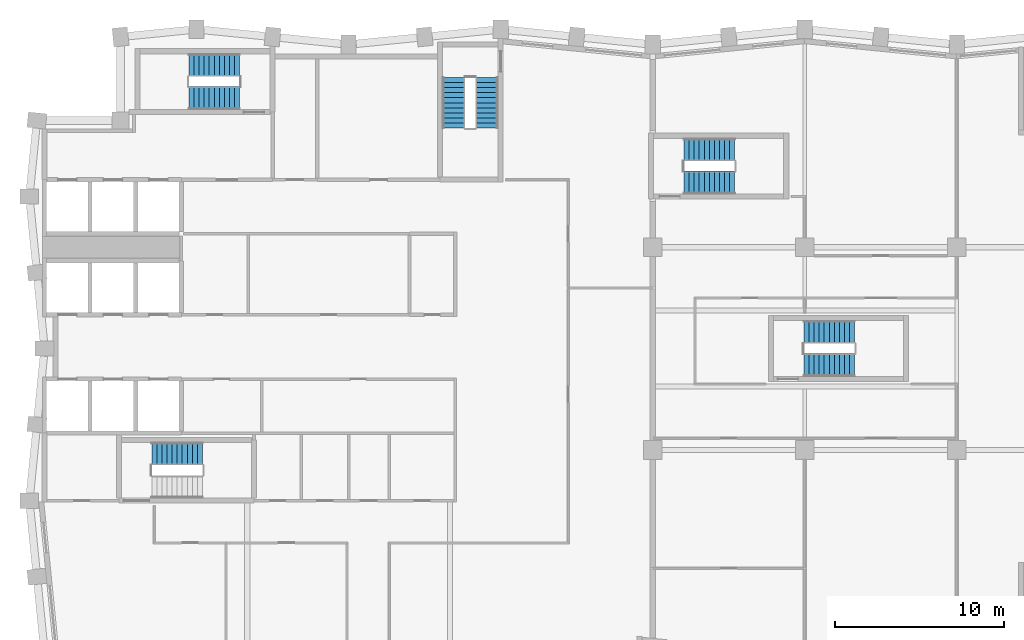
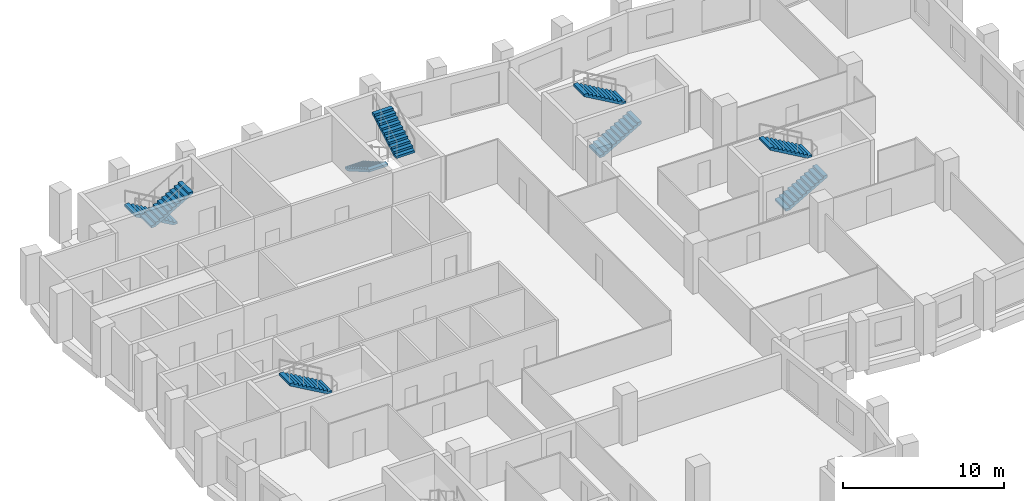
# One storey, part 8 of 10: 9 stair flights, 5 elements without a shape of their own.
"""IFC4 building model written with IfcOpenShell, lengths in metres."""

from ifc_helpers import new_model, si_unit, direction, frame, origin, place, context, subcontext, project, spatial, polyline, outline, extrude, material, type_object, element, aggregate, save


model = new_model("IFC4")

# Units and contexts
model_context = context("Model", 3, precision=1e-05, world=origin(), true_north=direction((0.0, 1.0)))
body_context = subcontext(model_context, "Body", "Model", "MODEL_VIEW")
ifc_project = project(units=[si_unit("LENGTHUNIT", "METRE"), si_unit("AREAUNIT", "SQUARE_METRE"), si_unit("VOLUMEUNIT", "CUBIC_METRE"), si_unit("PLANEANGLEUNIT", "RADIAN"), si_unit("MASSUNIT", "GRAM", prefix="KILO")], contexts=[model_context])

# Site, building, storey
site_placement = place(None, origin())
site = spatial("IfcSite", under=ifc_project, at=site_placement, CompositionType="ELEMENT")
building_placement = place(site_placement, origin())
building = spatial("IfcBuilding", under=site, at=building_placement, Name="Brondeck Convention Tower", CompositionType="ELEMENT")
storey_placement = place(building_placement, frame((0.0, 0.0, 185.199951171875)))
storey = spatial("IfcBuildingStorey", under=building, at=storey_placement, Name="L45", CompositionType="ELEMENT", Elevation=185.199951171875)

# Stair, stair flight
ifc_material = material(Name="Precast concrete C50/60", Category="concrete")
stair_type = type_object("IfcStairType", Name="Core stair 22 risers 172.73 mm riser 300 mm going 1350 wide", PredefinedType="HALF_TURN_STAIR", material=ifc_material)
stair_1_placement = place(storey_placement, origin())
stair_1 = element("IfcStair", 1, at=stair_1_placement, inside=storey, type_object=stair_type, Name="ST-1 L45 stair", PredefinedType="HALF_TURN_STAIR")
stair_flight_type = type_object("IfcStairFlightType", Name="Core stair flight 22 risers 172.73 mm riser 300 mm going 1350 wide", PredefinedType="STRAIGHT", material=ifc_material)
stair_flight_1_placement = place(storey_placement, frame((9.35009765625, 38.77490234375, 1.900146484375), z_axis=(0.0, 0.0, 1.0), x_axis=(-1.0, 0.0, 0.0)))
stair_flight_1 = element("IfcStairFlight", 2, at=stair_flight_1_placement, type_object=stair_flight_type, Name="ST-1 flight 2", NumberOfRisers=11, NumberOfTreads=10, PredefinedType="STRAIGHT", RiserHeight=0.172727273, TreadLength=0.3, context=body_context, shape_type="SweptSolid", body=[
    extrude(outline(polyline([(0.0, 0.0), (0.0, 0.172607421875), (0.300048828125, 0.172607421875), (0.300048828125, 0.345458984375), (0.60009765625, 0.345458984375), (0.60009765625, 0.51806640625), (0.89990234375, 0.51806640625), (0.89990234375, 0.69091796875), (1.199951171875, 0.69091796875), (1.199951171875, 0.863525390625), (1.5, 0.863525390625), (1.5, 1.036376953125), (1.800048828125, 1.036376953125), (1.800048828125, 1.208984375), (2.10009765625, 1.208984375), (2.10009765625, 1.3818359375), (2.39990234375, 1.3818359375), (2.39990234375, 1.554443359375), (2.699951171875, 1.554443359375), (2.699951171875, 1.727294921875), (3.0, 1.727294921875), (3.0, 1.89990234375), (3.0, 1.55419921875), (0.300537109375, 0.0), (0.0, 0.0)])), frame((0.0, 0.675048828125, 0.0), z_axis=(0.0, -1.0, 0.0), x_axis=(1.0, 0.0, 0.0)), (0.0, 0.0, 1.0), 1.35009765625),
])
aggregate(stair_1, [stair_flight_1])

# Stair, stair flights
stair_2_placement = place(storey_placement, origin())
stair_2 = element("IfcStair", 3, at=stair_2_placement, inside=storey, type_object=stair_type, Name="ST-2 L45 stair", PredefinedType="HALF_TURN_STAIR")
stair_flight_2_placement = place(storey_placement, frame((24.22509765625, 61.050048828125, 0.0), z_axis=(0.0, 0.0, 1.0), x_axis=(0.0, -1.0, 0.0)))
stair_flight_2 = element("IfcStairFlight", 4, at=stair_flight_2_placement, type_object=stair_flight_type, Name="ST-2 flight 1", NumberOfRisers=11, NumberOfTreads=10, PredefinedType="STRAIGHT", RiserHeight=0.172727273, TreadLength=0.3, context=body_context, shape_type="SweptSolid", body=[
    extrude(outline(polyline([(0.0, 0.0), (0.0, 0.172607421875), (0.300048828125, 0.172607421875), (0.300048828125, 0.345458984375), (0.60009765625, 0.345458984375), (0.60009765625, 0.51806640625), (0.89990234375, 0.51806640625), (0.89990234375, 0.69091796875), (1.199951171875, 0.69091796875), (1.199951171875, 0.863525390625), (1.5, 0.863525390625), (1.5, 1.036376953125), (1.800048828125, 1.036376953125), (1.800048828125, 1.208984375), (2.10009765625, 1.208984375), (2.10009765625, 1.3818359375), (2.39990234375, 1.3818359375), (2.39990234375, 1.554443359375), (2.699951171875, 1.554443359375), (2.699951171875, 1.727294921875), (3.0, 1.727294921875), (3.0, 1.89990234375), (3.0, 1.55419921875), (0.300537109375, 0.0), (0.0, 0.0)])), frame((0.0, 0.675048828125, 0.0), z_axis=(0.0, -1.0, 0.0), x_axis=(1.0, 0.0, 0.0)), (0.0, 0.0, 1.0), 1.35009765625),
])
stair_flight_3_placement = place(storey_placement, frame((26.175048828125, 58.050048828125, 1.900146484375), z_axis=(0.0, 0.0, 1.0), x_axis=(0.0, 1.0, 0.0)))
stair_flight_3 = element("IfcStairFlight", 5, at=stair_flight_3_placement, type_object=stair_flight_type, Name="ST-2 flight 2", NumberOfRisers=11, NumberOfTreads=10, PredefinedType="STRAIGHT", RiserHeight=0.172727273, TreadLength=0.3, context=body_context, shape_type="SweptSolid", body=[
    extrude(outline(polyline([(0.0, 0.0), (0.0, 0.172607421875), (0.300048828125, 0.172607421875), (0.300048828125, 0.345458984375), (0.60009765625, 0.345458984375), (0.60009765625, 0.51806640625), (0.89990234375, 0.51806640625), (0.89990234375, 0.69091796875), (1.199951171875, 0.69091796875), (1.199951171875, 0.863525390625), (1.5, 0.863525390625), (1.5, 1.036376953125), (1.800048828125, 1.036376953125), (1.800048828125, 1.208984375), (2.10009765625, 1.208984375), (2.10009765625, 1.3818359375), (2.39990234375, 1.3818359375), (2.39990234375, 1.554443359375), (2.699951171875, 1.554443359375), (2.699951171875, 1.727294921875), (3.0, 1.727294921875), (3.0, 1.89990234375), (3.0, 1.55419921875), (0.300537109375, 0.0), (0.0, 0.0)])), frame((0.0, 0.675048828125, 0.0), z_axis=(0.0, -1.0, 0.0), x_axis=(1.0, 0.0, 0.0)), (0.0, 0.0, 1.0), 1.35009765625),
])
aggregate(stair_2, [stair_flight_2, stair_flight_3])

stair_3_placement = place(storey_placement, origin())
stair_3 = element("IfcStair", 6, at=stair_3_placement, inside=storey, type_object=stair_type, Name="ST-3 L45 stair", PredefinedType="HALF_TURN_STAIR")
stair_flight_4_placement = place(storey_placement, frame((11.550048828125, 61.77490234375, 0.0), z_axis=(0.0, 0.0, 1.0), x_axis=(-1.0, 0.0, 0.0)))
stair_flight_4 = element("IfcStairFlight", 7, at=stair_flight_4_placement, type_object=stair_flight_type, Name="ST-3 flight 1", NumberOfRisers=11, NumberOfTreads=10, PredefinedType="STRAIGHT", RiserHeight=0.172727273, TreadLength=0.3, context=body_context, shape_type="SweptSolid", body=[
    extrude(outline(polyline([(0.0, 0.0), (0.0, 0.172607421875), (0.300048828125, 0.172607421875), (0.300048828125, 0.345458984375), (0.60009765625, 0.345458984375), (0.60009765625, 0.51806640625), (0.89990234375, 0.51806640625), (0.89990234375, 0.69091796875), (1.199951171875, 0.69091796875), (1.199951171875, 0.863525390625), (1.5, 0.863525390625), (1.5, 1.036376953125), (1.800048828125, 1.036376953125), (1.800048828125, 1.208984375), (2.10009765625, 1.208984375), (2.10009765625, 1.3818359375), (2.39990234375, 1.3818359375), (2.39990234375, 1.554443359375), (2.699951171875, 1.554443359375), (2.699951171875, 1.727294921875), (3.0, 1.727294921875), (3.0, 1.89990234375), (3.0, 1.55419921875), (0.300537109375, 0.0), (0.0, 0.0)])), frame((0.0, 0.675048828125, 0.0), z_axis=(0.0, -1.0, 0.0), x_axis=(1.0, 0.0, 0.0)), (0.0, 0.0, 1.0), 1.35009765625),
])
stair_flight_5_placement = place(storey_placement, frame((8.550048828125, 59.824951171875, 1.900146484375), z_axis=(0.0, 0.0, 1.0), x_axis=(1.0, 0.0, 0.0)))
stair_flight_5 = element("IfcStairFlight", 8, at=stair_flight_5_placement, type_object=stair_flight_type, Name="ST-3 flight 2", NumberOfRisers=11, NumberOfTreads=10, PredefinedType="STRAIGHT", RiserHeight=0.172727273, TreadLength=0.3, context=body_context, shape_type="SweptSolid", body=[
    extrude(outline(polyline([(0.0, 0.0), (0.0, 0.172607421875), (0.300048828125, 0.172607421875), (0.300048828125, 0.345458984375), (0.60009765625, 0.345458984375), (0.60009765625, 0.51806640625), (0.89990234375, 0.51806640625), (0.89990234375, 0.69091796875), (1.199951171875, 0.69091796875), (1.199951171875, 0.863525390625), (1.5, 0.863525390625), (1.5, 1.036376953125), (1.800048828125, 1.036376953125), (1.800048828125, 1.208984375), (2.10009765625, 1.208984375), (2.10009765625, 1.3818359375), (2.39990234375, 1.3818359375), (2.39990234375, 1.554443359375), (2.699951171875, 1.554443359375), (2.699951171875, 1.727294921875), (3.0, 1.727294921875), (3.0, 1.89990234375), (3.0, 1.55419921875), (0.300537109375, 0.0), (0.0, 0.0)])), frame((0.0, 0.675048828125, 0.0), z_axis=(0.0, -1.0, 0.0), x_axis=(1.0, 0.0, 0.0)), (0.0, 0.0, 1.0), 1.35009765625),
])
aggregate(stair_3, [stair_flight_4, stair_flight_5])

stair_4_placement = place(storey_placement, origin())
stair_4 = element("IfcStair", 9, at=stair_4_placement, inside=storey, type_object=stair_type, Name="ST-AE L45 stair", PredefinedType="HALF_TURN_STAIR")
stair_flight_6_placement = place(storey_placement, frame((37.85009765625, 54.824951171875, 0.0), z_axis=(0.0, 0.0, 1.0), x_axis=(1.0, 0.0, 0.0)))
stair_flight_6 = element("IfcStairFlight", 10, at=stair_flight_6_placement, type_object=stair_flight_type, Name="ST-AE flight 1", NumberOfRisers=11, NumberOfTreads=10, PredefinedType="STRAIGHT", RiserHeight=0.172727273, TreadLength=0.3, context=body_context, shape_type="SweptSolid", body=[
    extrude(outline(polyline([(0.0, 0.0), (0.0, 0.172607421875), (0.300048828125, 0.172607421875), (0.300048828125, 0.345458984375), (0.60009765625, 0.345458984375), (0.60009765625, 0.51806640625), (0.89990234375, 0.51806640625), (0.89990234375, 0.69091796875), (1.199951171875, 0.69091796875), (1.199951171875, 0.863525390625), (1.5, 0.863525390625), (1.5, 1.036376953125), (1.800048828125, 1.036376953125), (1.800048828125, 1.208984375), (2.10009765625, 1.208984375), (2.10009765625, 1.3818359375), (2.39990234375, 1.3818359375), (2.39990234375, 1.554443359375), (2.699951171875, 1.554443359375), (2.699951171875, 1.727294921875), (3.0, 1.727294921875), (3.0, 1.89990234375), (3.0, 1.55419921875), (0.300537109375, 0.0), (0.0, 0.0)])), frame((0.0, 0.675048828125, 0.0), z_axis=(0.0, -1.0, 0.0), x_axis=(1.0, 0.0, 0.0)), (0.0, 0.0, 1.0), 1.35009765625),
])
stair_flight_7_placement = place(storey_placement, frame((40.85009765625, 56.77490234375, 1.900146484375), z_axis=(0.0, 0.0, 1.0), x_axis=(-1.0, 0.0, 0.0)))
stair_flight_7 = element("IfcStairFlight", 11, at=stair_flight_7_placement, type_object=stair_flight_type, Name="ST-AE flight 2", NumberOfRisers=11, NumberOfTreads=10, PredefinedType="STRAIGHT", RiserHeight=0.172727273, TreadLength=0.3, context=body_context, shape_type="SweptSolid", body=[
    extrude(outline(polyline([(0.0, 0.0), (0.0, 0.172607421875), (0.300048828125, 0.172607421875), (0.300048828125, 0.345458984375), (0.60009765625, 0.345458984375), (0.60009765625, 0.51806640625), (0.89990234375, 0.51806640625), (0.89990234375, 0.69091796875), (1.199951171875, 0.69091796875), (1.199951171875, 0.863525390625), (1.5, 0.863525390625), (1.5, 1.036376953125), (1.800048828125, 1.036376953125), (1.800048828125, 1.208984375), (2.10009765625, 1.208984375), (2.10009765625, 1.3818359375), (2.39990234375, 1.3818359375), (2.39990234375, 1.554443359375), (2.699951171875, 1.554443359375), (2.699951171875, 1.727294921875), (3.0, 1.727294921875), (3.0, 1.89990234375), (3.0, 1.55419921875), (0.300537109375, 0.0), (0.0, 0.0)])), frame((0.0, 0.675048828125, 0.0), z_axis=(0.0, -1.0, 0.0), x_axis=(1.0, 0.0, 0.0)), (0.0, 0.0, 1.0), 1.35009765625),
])
aggregate(stair_4, [stair_flight_6, stair_flight_7])

stair_5_placement = place(storey_placement, origin())
stair_5 = element("IfcStair", 12, at=stair_5_placement, inside=storey, type_object=stair_type, Name="ST-AF L45 stair", PredefinedType="HALF_TURN_STAIR")
stair_flight_8_placement = place(storey_placement, frame((44.949951171875, 44.02490234375, 0.0), z_axis=(0.0, 0.0, 1.0), x_axis=(1.0, 0.0, 0.0)))
stair_flight_8 = element("IfcStairFlight", 13, at=stair_flight_8_placement, type_object=stair_flight_type, Name="ST-AF flight 1", NumberOfRisers=11, NumberOfTreads=10, PredefinedType="STRAIGHT", RiserHeight=0.172727273, TreadLength=0.3, context=body_context, shape_type="SweptSolid", body=[
    extrude(outline(polyline([(0.0, 0.0), (0.0, 0.172607421875), (0.300048828125, 0.172607421875), (0.300048828125, 0.345458984375), (0.60009765625, 0.345458984375), (0.60009765625, 0.51806640625), (0.89990234375, 0.51806640625), (0.89990234375, 0.69091796875), (1.199951171875, 0.69091796875), (1.199951171875, 0.863525390625), (1.5, 0.863525390625), (1.5, 1.036376953125), (1.800048828125, 1.036376953125), (1.800048828125, 1.208984375), (2.10009765625, 1.208984375), (2.10009765625, 1.3818359375), (2.39990234375, 1.3818359375), (2.39990234375, 1.554443359375), (2.699951171875, 1.554443359375), (2.699951171875, 1.727294921875), (3.0, 1.727294921875), (3.0, 1.89990234375), (3.0, 1.55419921875), (0.300537109375, 0.0), (0.0, 0.0)])), frame((0.0, 0.675048828125, 0.0), z_axis=(0.0, -1.0, 0.0), x_axis=(1.0, 0.0, 0.0)), (0.0, 0.0, 1.0), 1.35009765625),
])
stair_flight_9_placement = place(storey_placement, frame((47.949951171875, 45.97509765625, 1.900146484375), z_axis=(0.0, 0.0, 1.0), x_axis=(-1.0, 0.0, 0.0)))
stair_flight_9 = element("IfcStairFlight", 14, at=stair_flight_9_placement, type_object=stair_flight_type, Name="ST-AF flight 2", NumberOfRisers=11, NumberOfTreads=10, PredefinedType="STRAIGHT", RiserHeight=0.172727273, TreadLength=0.3, context=body_context, shape_type="SweptSolid", body=[
    extrude(outline(polyline([(0.0, 0.0), (0.0, 0.172607421875), (0.300048828125, 0.172607421875), (0.300048828125, 0.345458984375), (0.60009765625, 0.345458984375), (0.60009765625, 0.51806640625), (0.89990234375, 0.51806640625), (0.89990234375, 0.69091796875), (1.199951171875, 0.69091796875), (1.199951171875, 0.863525390625), (1.5, 0.863525390625), (1.5, 1.036376953125), (1.800048828125, 1.036376953125), (1.800048828125, 1.208984375), (2.10009765625, 1.208984375), (2.10009765625, 1.3818359375), (2.39990234375, 1.3818359375), (2.39990234375, 1.554443359375), (2.699951171875, 1.554443359375), (2.699951171875, 1.727294921875), (3.0, 1.727294921875), (3.0, 1.89990234375), (3.0, 1.55419921875), (0.300537109375, 0.0), (0.0, 0.0)])), frame((0.0, 0.675048828125, 0.0), z_axis=(0.0, -1.0, 0.0), x_axis=(1.0, 0.0, 0.0)), (0.0, 0.0, 1.0), 1.35009765625),
])
aggregate(stair_5, [stair_flight_8, stair_flight_9])

save(model, "model.ifc")
